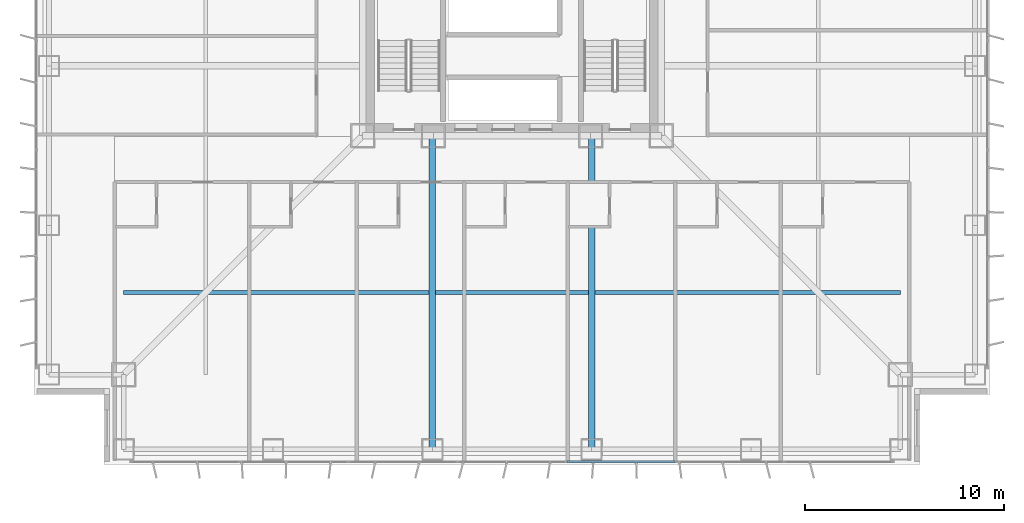
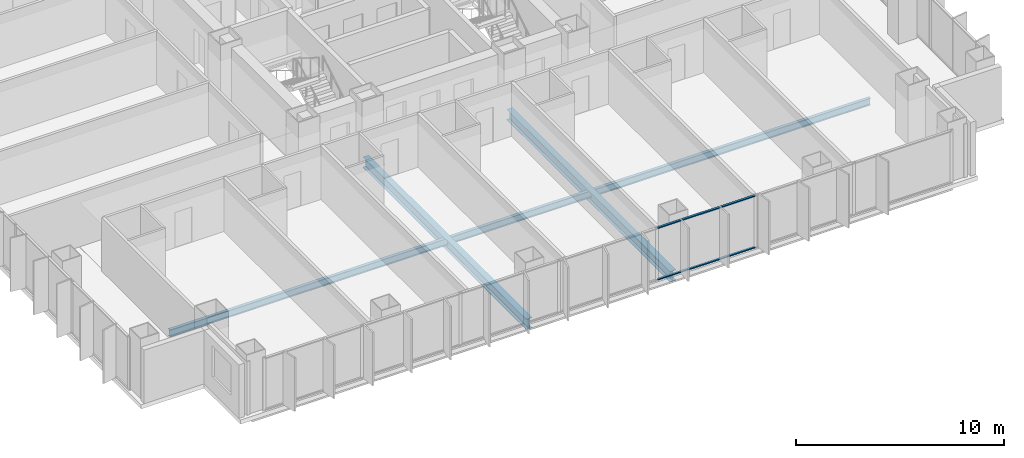
# One storey, part 3 of 19: 3 beams, 2 members, 1 element without a shape of its own.
"""IFC4 building model written with IfcOpenShell, lengths in metres."""

from ifc_helpers import new_model, si_unit, direction, frame, origin, origin_2d, place, context, subcontext, project, spatial, rectangle, i_section, extrude, material, layer, layer_set, material_profile, profile_set, type_object, element, aggregate, save


model = new_model("IFC4")

# Units and contexts
model_context = context("Model", 3, precision=1e-05, world=origin(), true_north=direction((0.0, 1.0)))
body_context = subcontext(model_context, "Body", "Model", "MODEL_VIEW")
ifc_project = project(units=[si_unit("LENGTHUNIT", "METRE"), si_unit("AREAUNIT", "SQUARE_METRE"), si_unit("VOLUMEUNIT", "CUBIC_METRE"), si_unit("PLANEANGLEUNIT", "RADIAN"), si_unit("MASSUNIT", "GRAM", prefix="KILO")], contexts=[model_context])

# Site, building, storey
site_placement = place(None, origin())
site = spatial("IfcSite", under=ifc_project, at=site_placement, CompositionType="ELEMENT")
building_placement = place(site_placement, origin())
building = spatial("IfcBuilding", under=site, at=building_placement, Name="Trevonay Congress Spire", CompositionType="ELEMENT")
storey_placement = place(building_placement, frame((0.0, 0.0, 79.5)))
storey = spatial("IfcBuildingStorey", under=building, at=storey_placement, Name="L20", CompositionType="ELEMENT", Elevation=79.5)

# Beams
ifc_material_1 = material(Name="Steel ASTM A572 Grade 50", Category="steel")
ifc_material_profile_1 = material_profile(ifc_material_1, i_section(OverallWidth=0.324951171875, OverallDepth=0.615966796875, WebThickness=0.013916015625, FlangeThickness=0.021484375, FilletRadius=0.01806640625, at=origin_2d()), Name="W610x174")
ifc_profile_set_1 = profile_set([ifc_material_profile_1], Name="Steel ASTM A572 Grade 50")
beam_type_1 = type_object("IfcBeamType", Name="BM-GIRD-W610X174", PredefinedType="BEAM", material=ifc_profile_set_1)
for number, where, z_axis, x_axis, name in (
    (1, (-4.0, -7.5, -0.55810546875), (0.0, -1.0, 0.0), (1.0, 0.0, 0.0), "L20 structural beam BM-L20-GS-M"),
    (2, (4.0, -7.5, -0.55810546875), (0.0, -1.0, 0.0), (1.0, 0.0, 0.0), "L20 structural beam BM-L20-GS-P"),
):
    element("IfcBeam", number, at=place(storey_placement, frame(where, z_axis=z_axis, x_axis=x_axis)), inside=storey, type_object=beam_type_1, Name=name, PredefinedType="BEAM", context=body_context, shape_type="SweptSolid", body=[
        extrude(i_section(OverallWidth=0.324951171875, OverallDepth=0.615966796875, WebThickness=0.013916015625, FlangeThickness=0.021484375, FilletRadius=0.01806640625, at=origin_2d()), origin(), (0.0, 0.0, 1.0), 15.75),
    ])

# Curtain wall, members
ifc_material_2 = material(Name="Pale Anodised Aluminium EN AW-6063-T6", Category="aluminium")
ifc_layer = layer(ifc_material_2, 0.179931640625, Name="Pale Anodised Aluminium EN AW-6063-T6")
ifc_layer_set = layer_set([ifc_layer], Name="Pale Anodised Aluminium EN AW-6063-T6")
curtain_wall_type = type_object("IfcCurtainWallType", Name="CW-SYS02-HOTEL-PALE-METAL", PredefinedType="NOTDEFINED", material=ifc_layer_set)
curtain_wall_placement = place(storey_placement, origin())
curtain_wall = element("IfcCurtainWall", 3, at=curtain_wall_placement, inside=storey, type_object=curtain_wall_type, Name="L20 S unitised curtain wall", PredefinedType="NOTDEFINED")
ifc_material_profile_2 = material_profile(ifc_material_2, rectangle(XDim=0.1201171875, YDim=0.06005859375, at=origin_2d()), Name="CW-TRANSOM-120-ALUMINIUM")
ifc_profile_set_2 = profile_set([ifc_material_profile_2], Name="Pale Anodised Aluminium EN AW-6063-T6")
member_type = type_object("IfcMemberType", Name="CW-TRANSOM-120-ALUMINIUM", PredefinedType="USERDEFINED", material=ifc_profile_set_2)
member_1_placement = place(storey_placement, frame((2.765625, -23.8798828125, 0.06005859375), z_axis=(1.0, 0.0, 0.0), x_axis=(0.0, 1.0, 0.0)))
member_1 = element("IfcMember", 4, at=member_1_placement, type_object=member_type, Name="CW02 transom 5.1", ObjectType="TRANSOM", PredefinedType="USERDEFINED", context=body_context, shape_type="SweptSolid", body=[
    extrude(rectangle(XDim=0.1201171875, YDim=0.06005859375, at=origin_2d()), origin(), (0.0, 0.0, 1.0), 5.41162109375),
])
member_2_placement = place(storey_placement, frame((2.765625, -23.8798828125, 3.090087890625), z_axis=(1.0, 0.0, 0.0), x_axis=(0.0, 1.0, 0.0)))
member_2 = element("IfcMember", 5, at=member_2_placement, type_object=member_type, Name="CW02 transom 5.2", ObjectType="TRANSOM", PredefinedType="USERDEFINED", context=body_context, shape_type="SweptSolid", body=[
    extrude(rectangle(XDim=0.1201171875, YDim=0.06005859375, at=origin_2d()), origin(), (0.0, 0.0, 1.0), 5.41162109375),
])
aggregate(curtain_wall, [member_1, member_2])

# Beam
ifc_material_profile_3 = material_profile(ifc_material_1, i_section(OverallWidth=0.177978515625, OverallDepth=0.406982421875, WebThickness=0.0078125, FlangeThickness=0.0126953125, FilletRadius=0.012939453125, at=origin_2d()), Name="W410x60")
ifc_profile_set_3 = profile_set([ifc_material_profile_3], Name="Steel ASTM A572 Grade 50")
beam_type_2 = type_object("IfcBeamType", Name="JS-COMP-W410X60", PredefinedType="JOIST", material=ifc_profile_set_3)
beam_placement = place(storey_placement, frame((-19.5, -15.375, -0.45361328125), z_axis=(1.0, 0.0, 0.0), x_axis=(0.0, 1.0, 0.0)))
element("IfcBeam", 6, at=beam_placement, inside=storey, type_object=beam_type_2, Name="L20 structural beam JS-L20-RING-S", PredefinedType="JOIST", context=body_context, shape_type="SweptSolid", body=[
    extrude(i_section(OverallWidth=0.177978515625, OverallDepth=0.406982421875, WebThickness=0.0078125, FlangeThickness=0.0126953125, FilletRadius=0.012939453125, at=origin_2d()), origin(), (0.0, 0.0, 1.0), 39.0),
])

save(model, "model.ifc")
